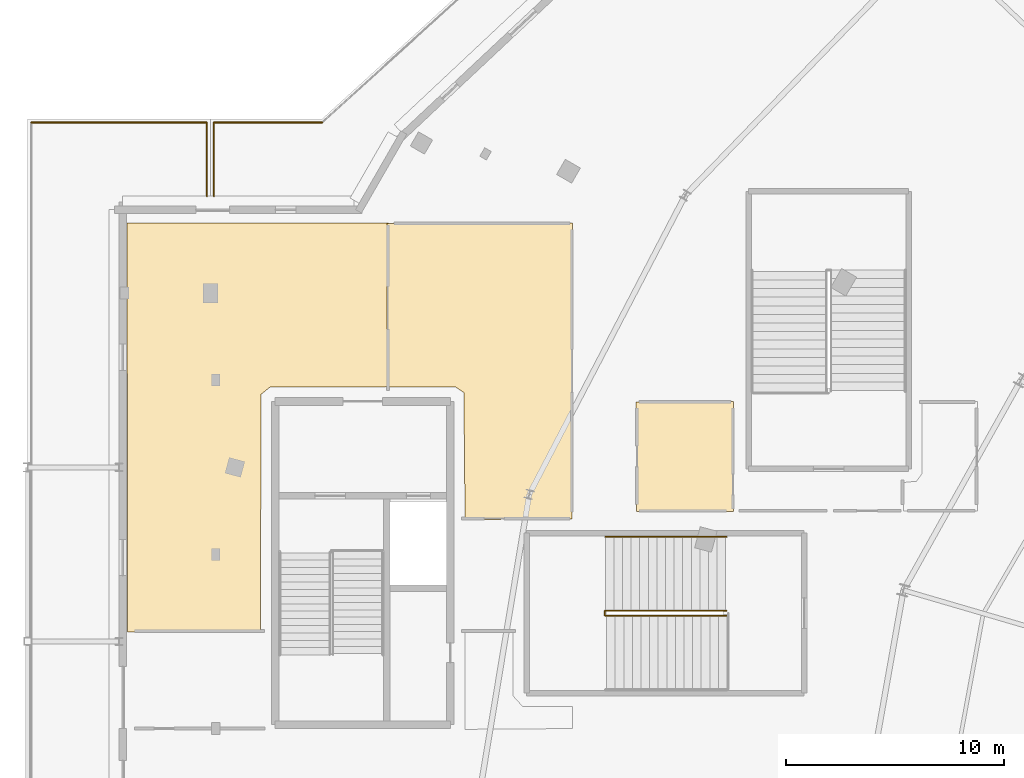
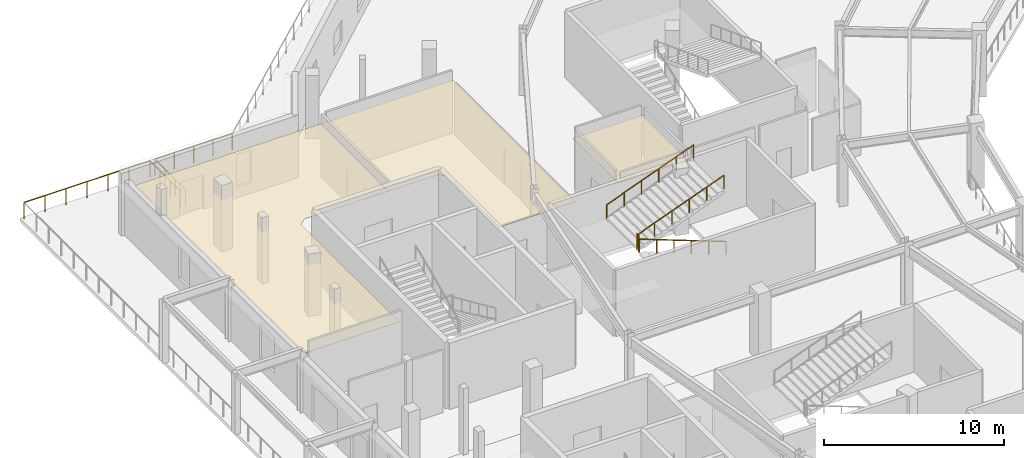
# One storey, part 96 of 107: 8 railings, 3 coverings.
"""IFC4 building model written with IfcOpenShell, lengths in metres."""

from ifc_helpers import new_model, si_unit, direction, frame, origin, origin_2d, place, context, subcontext, project, spatial, polyline, circle, outline, extrude, material, layer, layer_set, type_object, element, save


model = new_model("IFC4")

# Units and contexts
model_context = context("Model", 3, precision=1e-05, world=origin(), true_north=direction((0.0, 1.0)))
body_context = subcontext(model_context, "Body", "Model", "MODEL_VIEW")
ifc_project = project(units=[si_unit("LENGTHUNIT", "METRE"), si_unit("AREAUNIT", "SQUARE_METRE"), si_unit("VOLUMEUNIT", "CUBIC_METRE"), si_unit("PLANEANGLEUNIT", "RADIAN"), si_unit("MASSUNIT", "GRAM", prefix="KILO")], contexts=[model_context])

# Site, building, storey
site_placement = place(None, origin())
site = spatial("IfcSite", under=ifc_project, at=site_placement, CompositionType="ELEMENT")
building_placement = place(site_placement, origin())
building = spatial("IfcBuilding", under=site, at=building_placement, Name="Kalgoora Escarpment Arena", CompositionType="ELEMENT")
storey_placement = place(building_placement, frame((0.0, 0.0, 5.39990234375)))
storey = spatial("IfcBuildingStorey", under=building, at=storey_placement, Name="L01", CompositionType="ELEMENT", Elevation=5.39990234375)

# Coverings
ifc_material_1 = material(Name="Perforated acoustic mineral-fibre ceiling tile")
ifc_layer = layer(ifc_material_1, 0.02490234375)
ifc_layer_set = layer_set([ifc_layer], Name="COV-CEIL-ACOUSTIC")
covering_type = type_object("IfcCoveringType", Name="COV-CEIL-ACOUSTIC", PredefinedType="CEILING", material=ifc_layer_set)
covering_1_placement = place(storey_placement, frame((0.0, 0.0, 3.47998046875)))
element("IfcCovering", 1, at=covering_1_placement, inside=storey, type_object=covering_type, Name="L01 Male WC 1 acoustic suspended ceiling", PredefinedType="CEILING", context=body_context, shape_type="SweptSolid", body=[
    extrude(outline(polyline([(27.960693359375, 83.0078125), (32.430908203125, 83.025390625), (32.42529296875, 77.968994140625), (27.968994140625, 77.974609375), (27.960693359375, 83.0078125)])), origin(), (0.0, 0.0, 1.0), 0.025146484375),
])
covering_2_placement = place(storey_placement, frame((0.0, 0.0, 3.47998046875)))
element("IfcCovering", 2, at=covering_2_placement, inside=storey, type_object=covering_type, Name="L01 Arena Shop 2 acoustic suspended ceiling", PredefinedType="CEILING", context=body_context, shape_type="SweptSolid", body=[
    extrude(outline(polyline([(4.59619140625, 72.435302734375), (4.566650390625, 91.22216796875), (16.572265625, 91.2333984375), (16.590087890625, 83.699951171875), (11.15087890625, 83.697509765625), (10.721435546875, 83.34521484375), (10.699951171875, 72.43505859375), (4.59619140625, 72.435302734375)])), origin(), (0.0, 0.0, 1.0), 0.025146484375),
])
covering_3_placement = place(storey_placement, frame((0.0, 0.0, 3.47998046875)))
element("IfcCovering", 3, at=covering_3_placement, inside=storey, type_object=covering_type, Name="L01 Arena Shop 4 acoustic suspended ceiling", PredefinedType="CEILING", context=body_context, shape_type="SweptSolid", body=[
    extrude(outline(polyline([(16.51025390625, 91.203857421875), (25.033203125, 91.22216796875), (25.022216796875, 77.61669921875), (20.10009765625, 77.610107421875), (20.041015625, 83.435791015625), (19.64892578125, 83.697509765625), (16.510009765625, 83.699951171875), (16.51025390625, 91.203857421875)])), origin(), (0.0, 0.0, 1.0), 0.025146484375),
])

# Railings
ifc_material_2 = material(Name="Galvanised & powdercoated tubular steel", Category="steel")
railing_type_1 = type_object("IfcRailingType", Name="RAL-GUARD-1120", PredefinedType="GUARDRAIL", material=ifc_material_2)
railing_1_placement = place(storey_placement, frame((26.52001953125, 73.195068359375, 2.25)))
element("IfcRailing", 4, at=railing_1_placement, inside=storey, type_object=railing_type_1, Name="ST17 L01 half-landing well guard", PredefinedType="GUARDRAIL", context=body_context, shape_type="SweptSolid", body=[
    extrude(circle(Radius=0.02392578125, at=origin_2d()), frame((0.0, 0.0, 1.09619140625), z_axis=(0.0, 1.0, 0.0), x_axis=(-1.0, 0.0, 0.0)), (0.0, 0.0, 1.0), 0.2099609375),
    extrude(circle(Radius=0.02099609375, at=origin_2d()), origin(), (0.0, 0.0, 1.0), 1.072021484375),
    extrude(circle(Radius=0.02099609375, at=origin_2d()), frame((0.0, 0.2099609375, 0.0)), (0.0, 0.0, 1.0), 1.072021484375),
])
ifc_material_3 = material(Name="Brushed stainless steel 316 handrail", Category="steel")
railing_type_2 = type_object("IfcRailingType", Name="RAL-HAND-920", PredefinedType="HANDRAIL", material=ifc_material_3)
railing_2_placement = place(storey_placement, frame((32.110107421875, 73.18505859375, 0.110107421875)))
element("IfcRailing", 5, at=railing_2_placement, inside=storey, type_object=railing_type_2, Name="ST17 L01 pitched stair handrail F1R", PredefinedType="HANDRAIL", context=body_context, shape_type="SweptSolid", body=[
    extrude(circle(Radius=0.02392578125, at=origin_2d()), frame((0.0, 0.0, 0.89599609375), z_axis=(-0.935492612948, 0.0, 0.353346248203), x_axis=(0.0, -1.0, 0.0)), (0.0, 0.0, 1.0), 5.943359375),
    extrude(circle(Radius=0.02099609375, at=origin_2d()), origin(), (0.0, 0.0, 1.0), 0.871826171875),
    extrude(circle(Radius=0.02099609375, at=origin_2d()), frame((-1.112060546875, 0.0, 0.419921875)), (0.0, 0.0, 1.0), 0.871826171875),
    extrude(circle(Radius=0.02099609375, at=origin_2d()), frame((-2.22412109375, 0.0, 0.840087890625)), (0.0, 0.0, 1.0), 0.871826171875),
    extrude(circle(Radius=0.02099609375, at=origin_2d()), frame((-3.3359375, 0.0, 1.260009765625)), (0.0, 0.0, 1.0), 0.871826171875),
    extrude(circle(Radius=0.02099609375, at=origin_2d()), frame((-4.447998046875, 0.0, 1.68017578125)), (0.0, 0.0, 1.0), 0.871826171875),
    extrude(circle(Radius=0.02099609375, at=origin_2d()), frame((-5.56005859375, 0.0, 2.10009765625)), (0.0, 0.0, 1.0), 0.871826171875),
])
for number, where, name in (
    (6, (26.550048828125, 73.4150390625, 2.360107421875), "ST17 L01 pitched stair handrail F2L"),
    (7, (26.550048828125, 76.800048828125, 2.360107421875), "ST17 L01 pitched stair handrail F2R"),
):
    element("IfcRailing", number, at=place(storey_placement, frame(where)), inside=storey, type_object=railing_type_2, Name=name, PredefinedType="HANDRAIL", context=body_context, shape_type="SweptSolid", body=[
        extrude(circle(Radius=0.02392578125, at=origin_2d()), frame((0.0, 0.0, 0.89599609375), z_axis=(0.935492612948, 0.0, 0.353346248203), x_axis=(0.0, 1.0, 0.0)), (0.0, 0.0, 1.0), 5.943359375),
        extrude(circle(Radius=0.02099609375, at=origin_2d()), origin(), (0.0, 0.0, 1.0), 0.871826171875),
        extrude(circle(Radius=0.02099609375, at=origin_2d()), frame((1.112060546875, 0.0, 0.419921875)), (0.0, 0.0, 1.0), 0.871826171875),
        extrude(circle(Radius=0.02099609375, at=origin_2d()), frame((2.22412109375, 0.0, 0.840087890625)), (0.0, 0.0, 1.0), 0.871826171875),
        extrude(circle(Radius=0.02099609375, at=origin_2d()), frame((3.3359375, 0.0, 1.260009765625)), (0.0, 0.0, 1.0), 0.871826171875),
        extrude(circle(Radius=0.02099609375, at=origin_2d()), frame((4.447998046875, 0.0, 1.68017578125)), (0.0, 0.0, 1.0), 0.871826171875),
        extrude(circle(Radius=0.02099609375, at=origin_2d()), frame((5.56005859375, 0.0, 2.10009765625)), (0.0, 0.0, 1.0), 0.871826171875),
    ])
ifc_material_4 = material(Name="Champagne anodised aluminium & laminated glass", Category="aluminium")
railing_type_3 = type_object("IfcRailingType", Name="RAL-TERR-1100", PredefinedType="GUARDRAIL", material=ifc_material_4)
railing_3_placement = place(storey_placement, frame((0.159912109375, 95.840087890625, 0.0)))
element("IfcRailing", 8, at=railing_3_placement, inside=storey, type_object=railing_type_3, Name="Upper Foyer Escarpment Plaza perimeter guardrail 001", PredefinedType="GUARDRAIL", context=body_context, shape_type="SweptSolid", body=[
    extrude(circle(Radius=0.02392578125, at=origin_2d()), frame((0.0, 0.0, 1.09619140625), z_axis=(1.0, 0.0, 0.0), x_axis=(0.0, 1.0, 0.0)), (0.0, 0.0, 1.0), 8.080078125),
    extrude(circle(Radius=0.02099609375, at=origin_2d()), origin(), (0.0, 0.0, 1.0), 1.072021484375),
    extrude(circle(Radius=0.02099609375, at=origin_2d()), frame((1.3466796875, 0.0, 0.0)), (0.0, 0.0, 1.0), 1.072021484375),
    extrude(circle(Radius=0.02099609375, at=origin_2d()), frame((2.693359375, 0.0, 0.0)), (0.0, 0.0, 1.0), 1.072021484375),
    extrude(circle(Radius=0.02099609375, at=origin_2d()), frame((4.0400390625, 0.0, 0.0)), (0.0, 0.0, 1.0), 1.072021484375),
    extrude(circle(Radius=0.02099609375, at=origin_2d()), frame((5.38671875, 0.0, 0.0)), (0.0, 0.0, 1.0), 1.072021484375),
    extrude(circle(Radius=0.02099609375, at=origin_2d()), frame((6.7333984375, 0.0, 0.0)), (0.0, 0.0, 1.0), 1.072021484375),
    extrude(circle(Radius=0.02099609375, at=origin_2d()), frame((8.080078125, 0.0, 0.0)), (0.0, 0.0, 1.0), 1.072021484375),
])
railing_4_placement = place(storey_placement, frame((8.239990234375, 95.840087890625, 0.0)))
element("IfcRailing", 9, at=railing_4_placement, inside=storey, type_object=railing_type_3, Name="Upper Foyer Escarpment Plaza perimeter guardrail 002", PredefinedType="GUARDRAIL", context=body_context, shape_type="SweptSolid", body=[
    extrude(circle(Radius=0.02392578125, at=origin_2d()), frame((0.0, 0.0, 1.09619140625), z_axis=(0.0, -1.0, 0.0), x_axis=(1.0, 0.0, 0.0)), (0.0, 0.0, 1.0), 3.39013671875),
    extrude(circle(Radius=0.02099609375, at=origin_2d()), origin(), (0.0, 0.0, 1.0), 1.072021484375),
    extrude(circle(Radius=0.02099609375, at=origin_2d()), frame((0.0, -1.130126953125, 0.0)), (0.0, 0.0, 1.0), 1.072021484375),
    extrude(circle(Radius=0.02099609375, at=origin_2d()), frame((0.0, -2.260009765625, 0.0)), (0.0, 0.0, 1.0), 1.072021484375),
    extrude(circle(Radius=0.02099609375, at=origin_2d()), frame((0.0, -3.39013671875, 0.0)), (0.0, 0.0, 1.0), 1.072021484375),
])
railing_5_placement = place(storey_placement, frame((8.56005859375, 92.449951171875, 0.0)))
element("IfcRailing", 10, at=railing_5_placement, inside=storey, type_object=railing_type_3, Name="Lower Planted Elliptical Garden Promenade perimeter guardrail 011", PredefinedType="GUARDRAIL", context=body_context, shape_type="SweptSolid", body=[
    extrude(circle(Radius=0.02392578125, at=origin_2d()), frame((0.0, 0.0, 1.09619140625), z_axis=(0.0, 1.0, 0.0), x_axis=(-1.0, 0.0, 0.0)), (0.0, 0.0, 1.0), 3.39013671875),
    extrude(circle(Radius=0.02099609375, at=origin_2d()), origin(), (0.0, 0.0, 1.0), 1.072021484375),
    extrude(circle(Radius=0.02099609375, at=origin_2d()), frame((0.0, 1.130126953125, 0.0)), (0.0, 0.0, 1.0), 1.072021484375),
    extrude(circle(Radius=0.02099609375, at=origin_2d()), frame((0.0, 2.260009765625, 0.0)), (0.0, 0.0, 1.0), 1.072021484375),
    extrude(circle(Radius=0.02099609375, at=origin_2d()), frame((0.0, 3.39013671875, 0.0)), (0.0, 0.0, 1.0), 1.072021484375),
])
railing_6_placement = place(storey_placement, frame((8.56005859375, 95.840087890625, 0.0)))
element("IfcRailing", 11, at=railing_6_placement, inside=storey, type_object=railing_type_3, Name="Lower Planted Elliptical Garden Promenade perimeter guardrail 012", PredefinedType="GUARDRAIL", context=body_context, shape_type="SweptSolid", body=[
    extrude(circle(Radius=0.02392578125, at=origin_2d()), frame((0.0, 0.0, 1.09619140625), z_axis=(1.0, 0.0, 0.0), x_axis=(0.0, 1.0, 0.0)), (0.0, 0.0, 1.0), 4.96826171875),
    extrude(circle(Radius=0.02099609375, at=origin_2d()), origin(), (0.0, 0.0, 1.0), 1.072021484375),
    extrude(circle(Radius=0.02099609375, at=origin_2d()), frame((1.2421875, 0.0, 0.0)), (0.0, 0.0, 1.0), 1.072021484375),
    extrude(circle(Radius=0.02099609375, at=origin_2d()), frame((2.484130859375, 0.0, 0.0)), (0.0, 0.0, 1.0), 1.072021484375),
    extrude(circle(Radius=0.02099609375, at=origin_2d()), frame((3.72607421875, 0.0, 0.0)), (0.0, 0.0, 1.0), 1.072021484375),
    extrude(circle(Radius=0.02099609375, at=origin_2d()), frame((4.96826171875, 0.0, 0.0)), (0.0, 0.0, 1.0), 1.072021484375),
])

save(model, "model.ifc")
